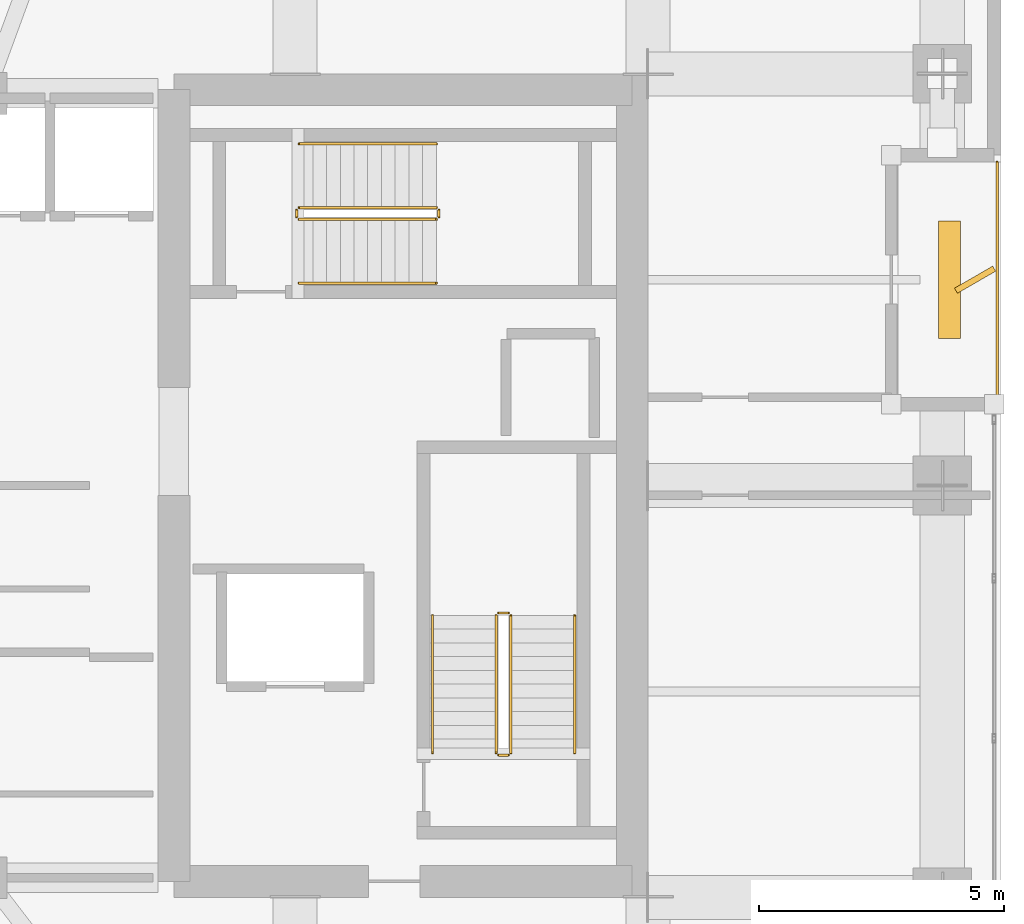
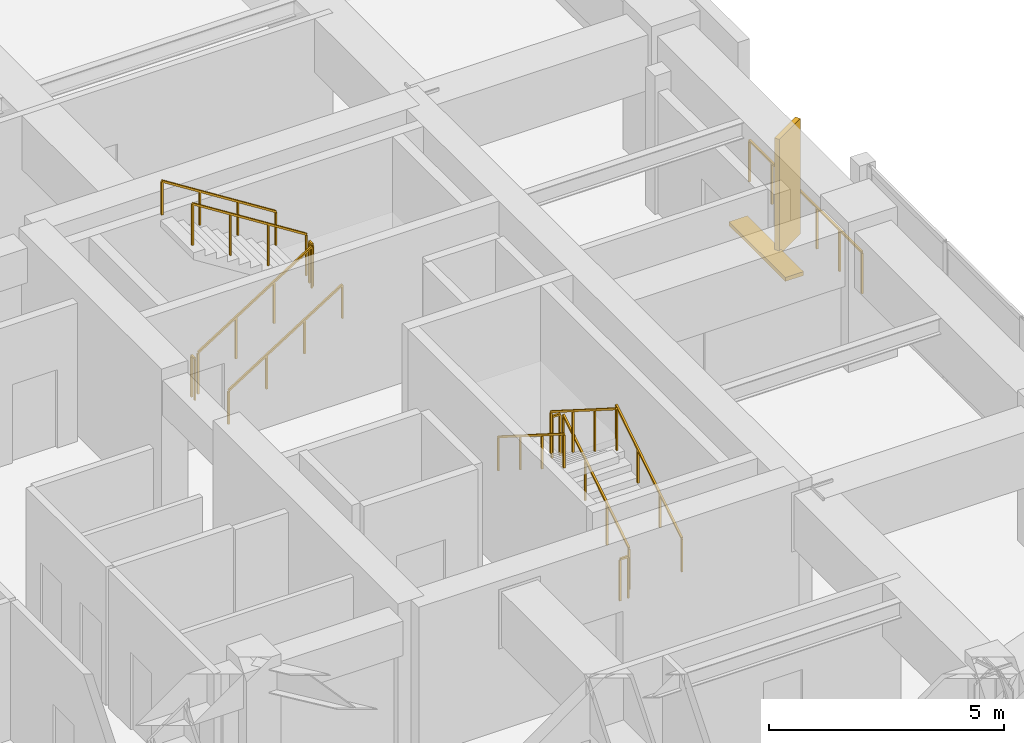
# One storey, part 29 of 30: 13 railings, 2 shading devices.
"""IFC4 building model written with IfcOpenShell, lengths in metres."""

from ifc_helpers import new_model, si_unit, direction, frame, origin, origin_2d, place, context, subcontext, project, spatial, rectangle, extrude, material, type_object, element, save


model = new_model("IFC4")

# Units and contexts
model_context = context("Model", 3, precision=1e-05, world=origin(), true_north=direction((0.0, 1.0)))
body_context = subcontext(model_context, "Body", "Model", "MODEL_VIEW")
ifc_project = project(units=[si_unit("LENGTHUNIT", "METRE"), si_unit("AREAUNIT", "SQUARE_METRE"), si_unit("VOLUMEUNIT", "CUBIC_METRE"), si_unit("PLANEANGLEUNIT", "RADIAN"), si_unit("MASSUNIT", "GRAM", prefix="KILO")], contexts=[model_context])

# Site, building, storey
site_placement = place(None, origin())
site = spatial("IfcSite", under=ifc_project, at=site_placement, CompositionType="ELEMENT")
building_placement = place(site_placement, origin())
building = spatial("IfcBuilding", under=site, at=building_placement, Name="Kiyonajd Concourse Tower", CompositionType="ELEMENT")
storey_placement = place(building_placement, frame((0.0, 0.0, 205.800048828125)))
storey = spatial("IfcBuildingStorey", under=building, at=storey_placement, Name="L52", CompositionType="ELEMENT", Elevation=205.800048828125)

# Railings
ifc_material_1 = material(Name="Thermally Broken Anodised Aluminium", Category="aluminium")
railing_type_1 = type_object("IfcRailingType", Name="RL-GRD-LOG", PredefinedType="GUARDRAIL", material=ifc_material_1)
railing_1_placement = place(storey_placement, frame((70.719970703125, 37.800048828125, 0.0)))
element("IfcRailing", 1, at=railing_1_placement, inside=storey, type_object=railing_type_1, Name="L52 Engawa Loggia Perimeter Guard LOG-E", PredefinedType="GUARDRAIL", context=body_context, shape_type="SweptSolid", body=[
    extrude(rectangle(XDim=0.048095703125, YDim=0.048095703125, at=origin_2d()), frame((0.0, 0.0, 1.076171875), z_axis=(0.0, 1.0, 0.0), x_axis=(-1.0, 0.0, 0.0)), (0.0, 0.0, 1.0), 4.800048828125),
    extrude(rectangle(XDim=0.0419921875, YDim=0.0419921875, at=origin_2d()), origin(), (0.0, 0.0, 1.0), 1.052001953125),
    extrude(rectangle(XDim=0.0419921875, YDim=0.0419921875, at=origin_2d()), frame((0.0, 0.9599609375, 0.0)), (0.0, 0.0, 1.0), 1.052001953125),
    extrude(rectangle(XDim=0.0419921875, YDim=0.0419921875, at=origin_2d()), frame((0.0, 1.919921875, 0.0)), (0.0, 0.0, 1.0), 1.052001953125),
    extrude(rectangle(XDim=0.0419921875, YDim=0.0419921875, at=origin_2d()), frame((0.0, 2.880126953125, 0.0)), (0.0, 0.0, 1.0), 1.052001953125),
    extrude(rectangle(XDim=0.0419921875, YDim=0.0419921875, at=origin_2d()), frame((0.0, 3.840087890625, 0.0)), (0.0, 0.0, 1.0), 1.052001953125),
    extrude(rectangle(XDim=0.0419921875, YDim=0.0419921875, at=origin_2d()), frame((0.0, 4.800048828125, 0.0)), (0.0, 0.0, 1.0), 1.052001953125),
])
ifc_material_2 = material(Name="Steel ASTM A500 Grade C", Category="steel")
railing_type_2 = type_object("IfcRailingType", Name="RL-GRD-STR", PredefinedType="GUARDRAIL", material=ifc_material_2)
railing_2_placement = place(storey_placement, frame((60.800048828125, 30.550048828125, 0.17724609375)))
element("IfcRailing", 2, at=railing_2_placement, inside=storey, type_object=railing_type_2, Name="L52 ST2 stair guard 1", PredefinedType="GUARDRAIL", context=body_context, shape_type="SweptSolid", body=[
    extrude(rectangle(XDim=0.048095703125, YDim=0.048095703125, at=origin_2d()), frame((0.0, 0.0, 1.076171875), z_axis=(0.0, 0.844908973607, 0.534910110503), x_axis=(-1.0, 0.0, 0.0)), (0.0, 0.0, 1.0), 3.31396484375),
    extrude(rectangle(XDim=0.0419921875, YDim=0.0419921875, at=origin_2d()), origin(), (0.0, 0.0, 1.0), 1.052001953125),
    extrude(rectangle(XDim=0.0419921875, YDim=0.0419921875, at=origin_2d()), frame((0.0, 0.933349609375, 0.5908203125)), (0.0, 0.0, 1.0), 1.052001953125),
    extrude(rectangle(XDim=0.0419921875, YDim=0.0419921875, at=origin_2d()), frame((0.0, 1.86669921875, 1.181884765625)), (0.0, 0.0, 1.0), 1.052001953125),
    extrude(rectangle(XDim=0.0419921875, YDim=0.0419921875, at=origin_2d()), frame((0.0, 2.800048828125, 1.772705078125)), (0.0, 0.0, 1.0), 1.052001953125),
])
railing_3_placement = place(storey_placement, frame((60.75, 33.39990234375, 1.949951171875)))
element("IfcRailing", 3, at=railing_3_placement, inside=storey, type_object=railing_type_2, Name="L52 ST2 stair guard 2", PredefinedType="GUARDRAIL", context=body_context, shape_type="SweptSolid", body=[
    extrude(rectangle(XDim=0.048095703125, YDim=0.048095703125, at=origin_2d()), frame((0.0, 0.0, 1.076171875), z_axis=(-1.0, 0.0, 0.0), x_axis=(0.0, -1.0, 0.0)), (0.0, 0.0, 1.0), 0.199951171875),
    extrude(rectangle(XDim=0.0419921875, YDim=0.0419921875, at=origin_2d()), origin(), (0.0, 0.0, 1.0), 1.052001953125),
    extrude(rectangle(XDim=0.0419921875, YDim=0.0419921875, at=origin_2d()), frame((-0.199951171875, 0.0, 0.0)), (0.0, 0.0, 1.0), 1.052001953125),
])
railing_4_placement = place(storey_placement, frame((60.5, 33.35009765625, 2.127197265625)))
element("IfcRailing", 4, at=railing_4_placement, inside=storey, type_object=railing_type_2, Name="L52 ST2 stair guard 3", PredefinedType="GUARDRAIL", context=body_context, shape_type="SweptSolid", body=[
    extrude(rectangle(XDim=0.048095703125, YDim=0.048095703125, at=origin_2d()), frame((0.0, 0.0, 1.076171875), z_axis=(0.0, -0.844908973607, 0.534910110503), x_axis=(1.0, 0.0, 0.0)), (0.0, 0.0, 1.0), 3.31396484375),
    extrude(rectangle(XDim=0.0419921875, YDim=0.0419921875, at=origin_2d()), origin(), (0.0, 0.0, 1.0), 1.052001953125),
    extrude(rectangle(XDim=0.0419921875, YDim=0.0419921875, at=origin_2d()), frame((0.0, -0.933349609375, 0.5908203125)), (0.0, 0.0, 1.0), 1.052001953125),
    extrude(rectangle(XDim=0.0419921875, YDim=0.0419921875, at=origin_2d()), frame((0.0, -1.86669921875, 1.181884765625)), (0.0, 0.0, 1.0), 1.052001953125),
    extrude(rectangle(XDim=0.0419921875, YDim=0.0419921875, at=origin_2d()), frame((0.0, -2.800048828125, 1.772705078125)), (0.0, 0.0, 1.0), 1.052001953125),
])
railing_5_placement = place(storey_placement, frame((60.75, 30.5, 0.0)))
element("IfcRailing", 5, at=railing_5_placement, inside=storey, type_object=railing_type_2, Name="L52 ST2 stair guard 4", PredefinedType="GUARDRAIL", context=body_context, shape_type="SweptSolid", body=[
    extrude(rectangle(XDim=0.048095703125, YDim=0.048095703125, at=origin_2d()), frame((0.0, 0.0, 1.076171875), z_axis=(-1.0, 0.0, 0.0), x_axis=(0.0, -1.0, 0.0)), (0.0, 0.0, 1.0), 0.199951171875),
    extrude(rectangle(XDim=0.0419921875, YDim=0.0419921875, at=origin_2d()), origin(), (0.0, 0.0, 1.0), 1.052001953125),
    extrude(rectangle(XDim=0.0419921875, YDim=0.0419921875, at=origin_2d()), frame((-0.199951171875, 0.0, 0.0)), (0.0, 0.0, 1.0), 1.052001953125),
])
railing_6_placement = place(storey_placement, frame((56.47998046875, 41.429931640625, 0.17724609375)))
element("IfcRailing", 6, at=railing_6_placement, inside=storey, type_object=railing_type_2, Name="L52 ST3 stair guard 1", PredefinedType="GUARDRAIL", context=body_context, shape_type="SweptSolid", body=[
    extrude(rectangle(XDim=0.048095703125, YDim=0.048095703125, at=origin_2d()), frame((0.0, 0.0, 1.076171875), z_axis=(0.844908973607, 0.0, 0.534910110503), x_axis=(0.0, 1.0, 0.0)), (0.0, 0.0, 1.0), 3.31396484375),
    extrude(rectangle(XDim=0.0419921875, YDim=0.0419921875, at=origin_2d()), origin(), (0.0, 0.0, 1.0), 1.052001953125),
    extrude(rectangle(XDim=0.0419921875, YDim=0.0419921875, at=origin_2d()), frame((0.933349609375, 0.0, 0.5908203125)), (0.0, 0.0, 1.0), 1.052001953125),
    extrude(rectangle(XDim=0.0419921875, YDim=0.0419921875, at=origin_2d()), frame((1.86669921875, 0.0, 1.181884765625)), (0.0, 0.0, 1.0), 1.052001953125),
    extrude(rectangle(XDim=0.0419921875, YDim=0.0419921875, at=origin_2d()), frame((2.800048828125, 0.0, 1.772705078125)), (0.0, 0.0, 1.0), 1.052001953125),
])
railing_7_placement = place(storey_placement, frame((59.330078125, 41.47998046875, 1.949951171875)))
element("IfcRailing", 7, at=railing_7_placement, inside=storey, type_object=railing_type_2, Name="L52 ST3 stair guard 2", PredefinedType="GUARDRAIL", context=body_context, shape_type="SweptSolid", body=[
    extrude(rectangle(XDim=0.048095703125, YDim=0.048095703125, at=origin_2d()), frame((0.0, 0.0, 1.076171875), z_axis=(0.0, 1.0, 0.0), x_axis=(-1.0, 0.0, 0.0)), (0.0, 0.0, 1.0), 0.14013671875),
    extrude(rectangle(XDim=0.0419921875, YDim=0.0419921875, at=origin_2d()), origin(), (0.0, 0.0, 1.0), 1.052001953125),
    extrude(rectangle(XDim=0.0419921875, YDim=0.0419921875, at=origin_2d()), frame((0.0, 0.14013671875, 0.0)), (0.0, 0.0, 1.0), 1.052001953125),
])
railing_8_placement = place(storey_placement, frame((59.280029296875, 41.669921875, 2.127197265625)))
element("IfcRailing", 8, at=railing_8_placement, inside=storey, type_object=railing_type_2, Name="L52 ST3 stair guard 3", PredefinedType="GUARDRAIL", context=body_context, shape_type="SweptSolid", body=[
    extrude(rectangle(XDim=0.048095703125, YDim=0.048095703125, at=origin_2d()), frame((0.0, 0.0, 1.076171875), z_axis=(-0.844908973607, 0.0, 0.534910110503), x_axis=(0.0, -1.0, 0.0)), (0.0, 0.0, 1.0), 3.31396484375),
    extrude(rectangle(XDim=0.0419921875, YDim=0.0419921875, at=origin_2d()), origin(), (0.0, 0.0, 1.0), 1.052001953125),
    extrude(rectangle(XDim=0.0419921875, YDim=0.0419921875, at=origin_2d()), frame((-0.933349609375, 0.0, 0.5908203125)), (0.0, 0.0, 1.0), 1.052001953125),
    extrude(rectangle(XDim=0.0419921875, YDim=0.0419921875, at=origin_2d()), frame((-1.86669921875, 0.0, 1.181884765625)), (0.0, 0.0, 1.0), 1.052001953125),
    extrude(rectangle(XDim=0.0419921875, YDim=0.0419921875, at=origin_2d()), frame((-2.800048828125, 0.0, 1.772705078125)), (0.0, 0.0, 1.0), 1.052001953125),
])
railing_9_placement = place(storey_placement, frame((56.429931640625, 41.47998046875, 0.0)))
element("IfcRailing", 9, at=railing_9_placement, inside=storey, type_object=railing_type_2, Name="L52 ST3 stair guard 4", PredefinedType="GUARDRAIL", context=body_context, shape_type="SweptSolid", body=[
    extrude(rectangle(XDim=0.048095703125, YDim=0.048095703125, at=origin_2d()), frame((0.0, 0.0, 1.076171875), z_axis=(0.0, 1.0, 0.0), x_axis=(-1.0, 0.0, 0.0)), (0.0, 0.0, 1.0), 0.14013671875),
    extrude(rectangle(XDim=0.0419921875, YDim=0.0419921875, at=origin_2d()), origin(), (0.0, 0.0, 1.0), 1.052001953125),
    extrude(rectangle(XDim=0.0419921875, YDim=0.0419921875, at=origin_2d()), frame((0.0, 0.14013671875, 0.0)), (0.0, 0.0, 1.0), 1.052001953125),
])
ifc_material_3 = material(Name="Brushed Stainless Steel Cab Assembly", Category="steel")
railing_type_3 = type_object("IfcRailingType", Name="RL-HND-900", PredefinedType="HANDRAIL", material=ifc_material_3)
railing_10_placement = place(storey_placement, frame((62.10009765625, 30.550048828125, 0.17724609375)))
element("IfcRailing", 10, at=railing_10_placement, inside=storey, type_object=railing_type_3, Name="L52 ST2 stair handrail 1", PredefinedType="HANDRAIL", context=body_context, shape_type="SweptSolid", body=[
    extrude(rectangle(XDim=0.048095703125, YDim=0.048095703125, at=origin_2d()), frame((0.0, 0.0, 0.8759765625), z_axis=(0.0, 0.844908973607, 0.534910110503), x_axis=(-1.0, 0.0, 0.0)), (0.0, 0.0, 1.0), 3.31396484375),
    extrude(rectangle(XDim=0.0419921875, YDim=0.0419921875, at=origin_2d()), origin(), (0.0, 0.0, 1.0), 0.851806640625),
    extrude(rectangle(XDim=0.0419921875, YDim=0.0419921875, at=origin_2d()), frame((0.0, 0.933349609375, 0.5908203125)), (0.0, 0.0, 1.0), 0.851806640625),
    extrude(rectangle(XDim=0.0419921875, YDim=0.0419921875, at=origin_2d()), frame((0.0, 1.86669921875, 1.181884765625)), (0.0, 0.0, 1.0), 0.851806640625),
    extrude(rectangle(XDim=0.0419921875, YDim=0.0419921875, at=origin_2d()), frame((0.0, 2.800048828125, 1.772705078125)), (0.0, 0.0, 1.0), 0.851806640625),
])
railing_11_placement = place(storey_placement, frame((59.199951171875, 33.35009765625, 2.127197265625)))
element("IfcRailing", 11, at=railing_11_placement, inside=storey, type_object=railing_type_3, Name="L52 ST2 stair handrail 2", PredefinedType="HANDRAIL", context=body_context, shape_type="SweptSolid", body=[
    extrude(rectangle(XDim=0.048095703125, YDim=0.048095703125, at=origin_2d()), frame((0.0, 0.0, 0.8759765625), z_axis=(0.0, -0.844908973607, 0.534910110503), x_axis=(1.0, 0.0, 0.0)), (0.0, 0.0, 1.0), 3.31396484375),
    extrude(rectangle(XDim=0.0419921875, YDim=0.0419921875, at=origin_2d()), origin(), (0.0, 0.0, 1.0), 0.851806640625),
    extrude(rectangle(XDim=0.0419921875, YDim=0.0419921875, at=origin_2d()), frame((0.0, -0.933349609375, 0.5908203125)), (0.0, 0.0, 1.0), 0.851806640625),
    extrude(rectangle(XDim=0.0419921875, YDim=0.0419921875, at=origin_2d()), frame((0.0, -1.86669921875, 1.181884765625)), (0.0, 0.0, 1.0), 0.851806640625),
    extrude(rectangle(XDim=0.0419921875, YDim=0.0419921875, at=origin_2d()), frame((0.0, -2.800048828125, 1.772705078125)), (0.0, 0.0, 1.0), 0.851806640625),
])
railing_12_placement = place(storey_placement, frame((56.47998046875, 40.1298828125, 0.17724609375)))
element("IfcRailing", 12, at=railing_12_placement, inside=storey, type_object=railing_type_3, Name="L52 ST3 stair handrail 1", PredefinedType="HANDRAIL", context=body_context, shape_type="SweptSolid", body=[
    extrude(rectangle(XDim=0.048095703125, YDim=0.048095703125, at=origin_2d()), frame((0.0, 0.0, 0.8759765625), z_axis=(0.844908973607, 0.0, 0.534910110503), x_axis=(0.0, 1.0, 0.0)), (0.0, 0.0, 1.0), 3.31396484375),
    extrude(rectangle(XDim=0.0419921875, YDim=0.0419921875, at=origin_2d()), origin(), (0.0, 0.0, 1.0), 0.851806640625),
    extrude(rectangle(XDim=0.0419921875, YDim=0.0419921875, at=origin_2d()), frame((0.933349609375, 0.0, 0.5908203125)), (0.0, 0.0, 1.0), 0.851806640625),
    extrude(rectangle(XDim=0.0419921875, YDim=0.0419921875, at=origin_2d()), frame((1.86669921875, 0.0, 1.181884765625)), (0.0, 0.0, 1.0), 0.851806640625),
    extrude(rectangle(XDim=0.0419921875, YDim=0.0419921875, at=origin_2d()), frame((2.800048828125, 0.0, 1.772705078125)), (0.0, 0.0, 1.0), 0.851806640625),
])
railing_13_placement = place(storey_placement, frame((59.280029296875, 42.969970703125, 2.127197265625)))
element("IfcRailing", 13, at=railing_13_placement, inside=storey, type_object=railing_type_3, Name="L52 ST3 stair handrail 2", PredefinedType="HANDRAIL", context=body_context, shape_type="SweptSolid", body=[
    extrude(rectangle(XDim=0.048095703125, YDim=0.048095703125, at=origin_2d()), frame((0.0, 0.0, 0.8759765625), z_axis=(-0.844908973607, 0.0, 0.534910110503), x_axis=(0.0, -1.0, 0.0)), (0.0, 0.0, 1.0), 3.31396484375),
    extrude(rectangle(XDim=0.0419921875, YDim=0.0419921875, at=origin_2d()), origin(), (0.0, 0.0, 1.0), 0.851806640625),
    extrude(rectangle(XDim=0.0419921875, YDim=0.0419921875, at=origin_2d()), frame((-0.933349609375, 0.0, 0.5908203125)), (0.0, 0.0, 1.0), 0.851806640625),
    extrude(rectangle(XDim=0.0419921875, YDim=0.0419921875, at=origin_2d()), frame((-1.86669921875, 0.0, 1.181884765625)), (0.0, 0.0, 1.0), 0.851806640625),
    extrude(rectangle(XDim=0.0419921875, YDim=0.0419921875, at=origin_2d()), frame((-2.800048828125, 0.0, 1.772705078125)), (0.0, 0.0, 1.0), 0.851806640625),
])

# Shading devices
ifc_material_4 = material(Name="Precast concrete C50/60", Category="concrete")
shading_device_type_1 = type_object("IfcShadingDeviceType", Name="SH-FIN-900", PredefinedType="USERDEFINED", material=ifc_material_4)
shading_device_1_placement = place(storey_placement, frame((70.27001953125, 40.199951171875, 0.0), z_axis=(0.0, 0.0, 1.0), x_axis=(0.866025403784, 0.5, 0.0)))
element("IfcShadingDevice", 14, at=shading_device_1_placement, inside=storey, type_object=shading_device_type_1, Name="L52 Angled Koshi Solar Fin LOG-E", ObjectType="FIN", PredefinedType="USERDEFINED", context=body_context, shape_type="SweptSolid", body=[
    extrude(rectangle(XDim=0.89990234375, YDim=0.1201171875, at=origin_2d()), origin(), (0.0, 0.0, 1.0), 3.0),
])
shading_device_type_2 = type_object("IfcShadingDeviceType", Name="SH-LVR-600", PredefinedType="JALOUSIE", material=ifc_material_1)
shading_device_2_placement = place(storey_placement, frame((69.75, 40.199951171875, 0.0), z_axis=(0.0, 0.0, 1.0), x_axis=(0.0, 1.0, 0.0)))
element("IfcShadingDevice", 15, at=shading_device_2_placement, inside=storey, type_object=shading_device_type_2, Name="L52 Loggia Threshold Louver LOG-E", PredefinedType="JALOUSIE", context=body_context, shape_type="SweptSolid", body=[
    extrude(rectangle(XDim=2.39990234375, YDim=0.449951171875, at=origin_2d()), origin(), (0.0, 0.0, 1.0), 0.10009765625),
])

save(model, "model.ifc")
